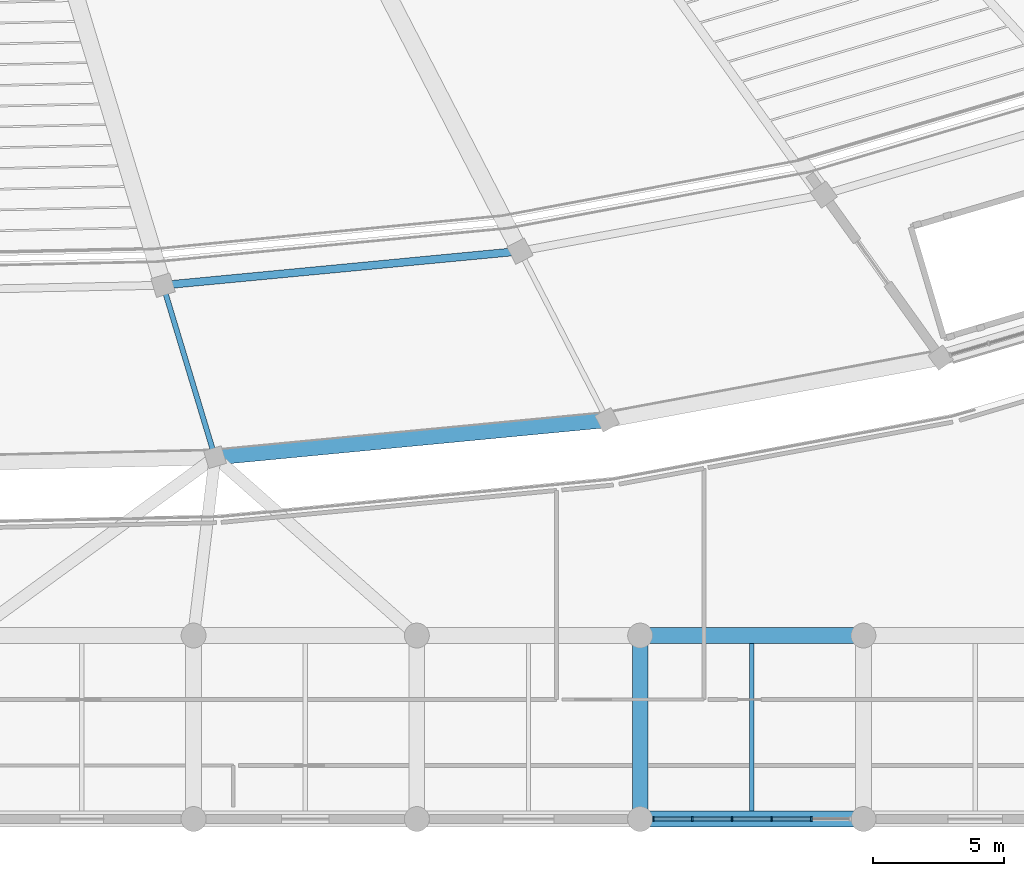
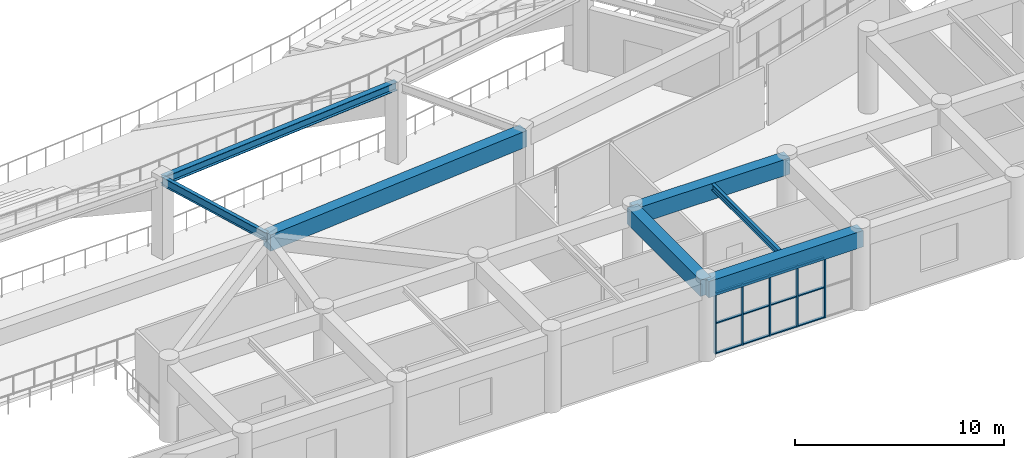
# One storey, part 32 of 137: 17 members, 7 beams, 1 element without a shape of its own.
"""IFC4 building model written with IfcOpenShell, lengths in metres."""

from ifc_helpers import new_model, si_unit, direction, frame, origin, origin_2d, place, context, subcontext, project, spatial, rectangle, i_section, extrude, material, layer, layer_set, material_profile, profile_set, type_object, element, aggregate, save


model = new_model("IFC4")

# Units and contexts
model_context = context("Model", 3, precision=1e-05, world=origin(), true_north=direction((0.0, 1.0)))
body_context = subcontext(model_context, "Body", "Model", "MODEL_VIEW")
ifc_project = project(units=[si_unit("LENGTHUNIT", "METRE"), si_unit("AREAUNIT", "SQUARE_METRE"), si_unit("VOLUMEUNIT", "CUBIC_METRE"), si_unit("PLANEANGLEUNIT", "RADIAN"), si_unit("MASSUNIT", "GRAM", prefix="KILO")], contexts=[model_context])

# Site, building, storey
site_placement = place(None, origin())
site = spatial("IfcSite", under=ifc_project, at=site_placement, CompositionType="ELEMENT")
building_placement = place(site_placement, origin())
building = spatial("IfcBuilding", under=site, at=building_placement, Name="Mphavela Belvedere Stadium", CompositionType="ELEMENT")
storey_placement = place(building_placement, frame((0.0, 0.0, 19.199951171875)))
storey = spatial("IfcBuildingStorey", under=building, at=storey_placement, Name="L04", CompositionType="ELEMENT", Elevation=19.199951171875)

# Beams
ifc_material_1 = material(Name="Concrete C40/50", Category="concrete")
ifc_material_profile_1 = material_profile(ifc_material_1, rectangle(XDim=0.60009765625, YDim=0.949951171875, at=origin_2d()), Name="RC 600x950")
ifc_profile_set_1 = profile_set([ifc_material_profile_1], Name="Concrete C40/50")
beam_type_1 = type_object("IfcBeamType", Name="BM-ENTABLATURE-950", PredefinedType="SPANDREL", material=ifc_profile_set_1)
beam_1_placement = place(storey_placement, frame((137.114501953125, 13.80615234375, 4.074951171875), z_axis=(0.995483415661, 0.094935605244, 0.0), x_axis=(-0.094935605244, 0.995483415661, 0.0)))
element("IfcBeam", 1, at=beam_1_placement, inside=storey, type_object=beam_type_1, Name="Circumferential girder L04 R4-38", PredefinedType="SPANDREL", context=body_context, shape_type="SweptSolid", body=[
    extrude(rectangle(XDim=0.60009765625, YDim=0.949951171875, at=origin_2d()), origin(), (0.0, 0.0, 1.0), 15.026123046875),
])
beam_2_placement = place(storey_placement, frame((153.3330078125, 0.0, 4.06494140625), z_axis=(1.0, 0.0, 0.0), x_axis=(0.0, 1.0, 0.0)))
element("IfcBeam", 2, at=beam_2_placement, inside=storey, type_object=beam_type_1, Name="South Axial Triumphal Peristyle Portico entablature beam X L04 19-1", PredefinedType="SPANDREL", context=body_context, shape_type="SweptSolid", body=[
    extrude(rectangle(XDim=0.60009765625, YDim=0.949951171875, at=origin_2d()), origin(), (0.0, 0.0, 1.0), 8.51904296875),
])
beam_3_placement = place(storey_placement, frame((153.3330078125, 0.0, 4.06494140625), z_axis=(0.0, 1.0, 0.0), x_axis=(-1.0, 0.0, 0.0)))
element("IfcBeam", 3, at=beam_3_placement, inside=storey, type_object=beam_type_1, Name="South Axial Triumphal Peristyle Portico entablature beam Y L04 19-1", PredefinedType="SPANDREL", context=body_context, shape_type="SweptSolid", body=[
    extrude(rectangle(XDim=0.60009765625, YDim=0.949951171875, at=origin_2d()), origin(), (0.0, 0.0, 1.0), 7.0),
])
beam_4_placement = place(storey_placement, frame((153.3330078125, 7.0, 4.06494140625), z_axis=(1.0, 0.0, 0.0), x_axis=(0.0, 1.0, 0.0)))
element("IfcBeam", 4, at=beam_4_placement, inside=storey, type_object=beam_type_1, Name="South Axial Triumphal Peristyle Portico entablature beam X L04 19-2", PredefinedType="SPANDREL", context=body_context, shape_type="SweptSolid", body=[
    extrude(rectangle(XDim=0.60009765625, YDim=0.949951171875, at=origin_2d()), origin(), (0.0, 0.0, 1.0), 8.51904296875),
])
ifc_material_2 = material(Name="Steel S355", Category="steel")
ifc_material_profile_2 = material_profile(ifc_material_2, i_section(OverallWidth=0.169921875, OverallDepth=0.360107421875, WebThickness=0.008056640625, FlangeThickness=0.0126953125, at=origin_2d()), Name="IPE 360")
ifc_profile_set_2 = profile_set([ifc_material_profile_2], Name="Steel S355")
beam_type_2 = type_object("IfcBeamType", Name="BM-JOIST-IPE360", PredefinedType="JOIST", material=ifc_profile_set_2)
beam_5_placement = place(storey_placement, frame((157.592529296875, 0.300048828125, 4.360107421875), z_axis=(0.0, 1.0, 0.0), x_axis=(-1.0, 0.0, 0.0)))
element("IfcBeam", 5, at=beam_5_placement, inside=storey, type_object=beam_type_2, Name="South Axial Triumphal Peristyle Portico secondary joist L04 19-1", PredefinedType="JOIST", context=body_context, shape_type="SweptSolid", body=[
    extrude(i_section(OverallWidth=0.169921875, OverallDepth=0.360107421875, WebThickness=0.008056640625, FlangeThickness=0.0126953125, at=origin_2d()), origin(), (0.0, 0.0, 1.0), 6.39990234375),
])
ifc_material_3 = material(Name="Steel S355", Category="steel")
ifc_material_profile_3 = material_profile(ifc_material_3, i_section(OverallWidth=0.300048828125, OverallDepth=0.489990234375, WebThickness=0.011962890625, FlangeThickness=0.02294921875, at=origin_2d()), Name="HEA 500")
ifc_profile_set_3 = profile_set([ifc_material_profile_3], Name="Steel S355")
beam_type_3 = type_object("IfcBeamType", Name="BM-STEEL-HEA500", PredefinedType="BEAM", material=ifc_profile_set_3)
beam_6_placement = place(storey_placement, frame((135.1328125, 20.365966796875, 4.304931640625), z_axis=(0.995483834103, 0.094931217412, 0.0), x_axis=(-0.094931217412, 0.995483834103, 0.0)))
element("IfcBeam", 6, at=beam_6_placement, inside=storey, type_object=beam_type_3, Name="Circumferential girder L04 R3-38", PredefinedType="BEAM", context=body_context, shape_type="SweptSolid", body=[
    extrude(i_section(OverallWidth=0.300048828125, OverallDepth=0.489990234375, WebThickness=0.011962890625, FlangeThickness=0.02294921875, at=origin_2d()), origin(), (0.0, 0.0, 1.0), 13.67919921875),
])
ifc_material_4 = material(Name="Steel S355", Category="steel")
ifc_material_profile_4 = material_profile(ifc_material_4, i_section(OverallWidth=0.199951171875, OverallDepth=0.5, WebThickness=0.01025390625, FlangeThickness=0.01611328125, at=origin_2d()), Name="IPE 500")
ifc_profile_set_4 = profile_set([ifc_material_profile_4], Name="Steel S355")
beam_type_4 = type_object("IfcBeamType", Name="BM-STEEL-IPE500", PredefinedType="BEAM", material=ifc_profile_set_4)
beam_7_placement = place(storey_placement, frame((135.1328125, 20.365966796875, 4.300048828125), z_axis=(0.28918755919, -0.95727245631, 0.0), x_axis=(0.95727245631, 0.28918755919, 0.0)))
element("IfcBeam", 7, at=beam_7_placement, inside=storey, type_object=beam_type_4, Name="Radial concourse girder L04 R3R4-38", PredefinedType="BEAM", context=body_context, shape_type="SweptSolid", body=[
    extrude(i_section(OverallWidth=0.199951171875, OverallDepth=0.5, WebThickness=0.01025390625, FlangeThickness=0.01611328125, at=origin_2d()), origin(), (0.0, 0.0, 1.0), 6.8525390625),
])

# Curtain wall, members
ifc_material_5 = material(Name="Anodised bronze unitised curtain wall framing")
ifc_layer = layer(ifc_material_5, 0.199951171875)
ifc_layer_set = layer_set([ifc_layer], Name="Anodised bronze unitised curtain wall framing")
curtain_wall_type = type_object("IfcCurtainWallType", Name="CW-UNIT-05", PredefinedType="USERDEFINED", material=ifc_layer_set)
curtain_wall_placement = place(storey_placement, origin())
curtain_wall = element("IfcCurtainWall", 8, at=curtain_wall_placement, inside=storey, type_object=curtain_wall_type, Name="South Axial Triumphal Peristyle Portico gallery curtain wall L04-19", ObjectType="UNITISED CURTAIN WALL", PredefinedType="USERDEFINED")
ifc_material_6 = material(Name="Anodised bronze extruded aluminium", Category="aluminium")
ifc_material_profile_5 = material_profile(ifc_material_6, rectangle(XDim=0.179931640625, YDim=0.06494140625, at=origin_2d()), Name="CW-MUL 180x65")
ifc_profile_set_5 = profile_set([ifc_material_profile_5], Name="Anodised bronze extruded aluminium")
member_type_1 = type_object("IfcMemberType", Name="CWM-180x65", PredefinedType="MULLION", material=ifc_profile_set_5)
member_1_placement = place(storey_placement, frame((159.864501953125, 0.0, 0.0), z_axis=(0.0, 0.0, 1.0), x_axis=(0.0, -1.0, 0.0)))
member_1 = element("IfcMember", 9, at=member_1_placement, type_object=member_type_1, Name="CW-05 mullion 2", PredefinedType="MULLION", context=body_context, shape_type="SweptSolid", body=[
    extrude(rectangle(XDim=0.179931640625, YDim=0.06494140625, at=origin_2d()), origin(), (0.0, 0.0, 1.0), 3.56005859375),
])
member_2_placement = place(storey_placement, frame((158.349853515625, 0.0, 0.0), z_axis=(0.0, 0.0, 1.0), x_axis=(0.0, -1.0, 0.0)))
member_2 = element("IfcMember", 10, at=member_2_placement, type_object=member_type_1, Name="CW-05 mullion 3", PredefinedType="MULLION", context=body_context, shape_type="SweptSolid", body=[
    extrude(rectangle(XDim=0.179931640625, YDim=0.06494140625, at=origin_2d()), origin(), (0.0, 0.0, 1.0), 3.56005859375),
])
member_3_placement = place(storey_placement, frame((156.835205078125, 0.0, 0.0), z_axis=(0.0, 0.0, 1.0), x_axis=(0.0, -1.0, 0.0)))
member_3 = element("IfcMember", 11, at=member_3_placement, type_object=member_type_1, Name="CW-05 mullion 4", PredefinedType="MULLION", context=body_context, shape_type="SweptSolid", body=[
    extrude(rectangle(XDim=0.179931640625, YDim=0.06494140625, at=origin_2d()), origin(), (0.0, 0.0, 1.0), 3.56005859375),
])
member_4_placement = place(storey_placement, frame((155.320556640625, 0.0, 0.0), z_axis=(0.0, 0.0, 1.0), x_axis=(0.0, -1.0, 0.0)))
member_4 = element("IfcMember", 12, at=member_4_placement, type_object=member_type_1, Name="CW-05 mullion 5", PredefinedType="MULLION", context=body_context, shape_type="SweptSolid", body=[
    extrude(rectangle(XDim=0.179931640625, YDim=0.06494140625, at=origin_2d()), origin(), (0.0, 0.0, 1.0), 3.56005859375),
])
member_5_placement = place(storey_placement, frame((153.83837890625, 0.0, 0.0), z_axis=(0.0, 0.0, 1.0), x_axis=(0.0, -1.0, 0.0)))
member_5 = element("IfcMember", 13, at=member_5_placement, type_object=member_type_1, Name="CW-05 mullion 6", PredefinedType="MULLION", context=body_context, shape_type="SweptSolid", body=[
    extrude(rectangle(XDim=0.179931640625, YDim=0.06494140625, at=origin_2d()), origin(), (0.0, 0.0, 1.0), 3.56005859375),
])
ifc_material_7 = material(Name="Anodised bronze extruded aluminium", Category="aluminium")
ifc_material_profile_6 = material_profile(ifc_material_7, rectangle(XDim=0.139892578125, YDim=0.06005859375, at=origin_2d()), Name="CW-TRN 140x60")
ifc_profile_set_6 = profile_set([ifc_material_profile_6], Name="Anodised bronze extruded aluminium")
member_type_2 = type_object("IfcMemberType", Name="CWT-140x60", PredefinedType="USERDEFINED", material=ifc_profile_set_6)
member_6_placement = place(storey_placement, frame((159.831787109375, 0.0, 0.030029296875), z_axis=(-1.0, 0.0, 0.0), x_axis=(0.0, -1.0, 0.0)))
member_6 = element("IfcMember", 14, at=member_6_placement, type_object=member_type_2, Name="CW-05 transom 2.1", ObjectType="TRANSOM", PredefinedType="USERDEFINED", context=body_context, shape_type="SweptSolid", body=[
    extrude(rectangle(XDim=0.139892578125, YDim=0.06005859375, at=origin_2d()), origin(), (0.0, 0.0, 1.0), 1.449462890625),
])
member_7_placement = place(storey_placement, frame((159.831787109375, 0.0, 1.780029296875), z_axis=(-1.0, 0.0, 0.0), x_axis=(0.0, -1.0, 0.0)))
member_7 = element("IfcMember", 15, at=member_7_placement, type_object=member_type_2, Name="CW-05 transom 2.2", ObjectType="TRANSOM", PredefinedType="USERDEFINED", context=body_context, shape_type="SweptSolid", body=[
    extrude(rectangle(XDim=0.139892578125, YDim=0.06005859375, at=origin_2d()), origin(), (0.0, 0.0, 1.0), 1.449462890625),
])
member_8_placement = place(storey_placement, frame((159.831787109375, 0.0, 3.530029296875), z_axis=(-1.0, 0.0, 0.0), x_axis=(0.0, -1.0, 0.0)))
member_8 = element("IfcMember", 16, at=member_8_placement, type_object=member_type_2, Name="CW-05 transom 2.3", ObjectType="TRANSOM", PredefinedType="USERDEFINED", context=body_context, shape_type="SweptSolid", body=[
    extrude(rectangle(XDim=0.139892578125, YDim=0.06005859375, at=origin_2d()), origin(), (0.0, 0.0, 1.0), 1.449462890625),
])
member_9_placement = place(storey_placement, frame((158.3173828125, 0.0, 0.030029296875), z_axis=(-1.0, 0.0, 0.0), x_axis=(0.0, -1.0, 0.0)))
member_9 = element("IfcMember", 17, at=member_9_placement, type_object=member_type_2, Name="CW-05 transom 3.1", ObjectType="TRANSOM", PredefinedType="USERDEFINED", context=body_context, shape_type="SweptSolid", body=[
    extrude(rectangle(XDim=0.139892578125, YDim=0.06005859375, at=origin_2d()), origin(), (0.0, 0.0, 1.0), 1.44970703125),
])
member_10_placement = place(storey_placement, frame((158.3173828125, 0.0, 1.780029296875), z_axis=(-1.0, 0.0, 0.0), x_axis=(0.0, -1.0, 0.0)))
member_10 = element("IfcMember", 18, at=member_10_placement, type_object=member_type_2, Name="CW-05 transom 3.2", ObjectType="TRANSOM", PredefinedType="USERDEFINED", context=body_context, shape_type="SweptSolid", body=[
    extrude(rectangle(XDim=0.139892578125, YDim=0.06005859375, at=origin_2d()), origin(), (0.0, 0.0, 1.0), 1.44970703125),
])
member_11_placement = place(storey_placement, frame((158.3173828125, 0.0, 3.530029296875), z_axis=(-1.0, 0.0, 0.0), x_axis=(0.0, -1.0, 0.0)))
member_11 = element("IfcMember", 19, at=member_11_placement, type_object=member_type_2, Name="CW-05 transom 3.3", ObjectType="TRANSOM", PredefinedType="USERDEFINED", context=body_context, shape_type="SweptSolid", body=[
    extrude(rectangle(XDim=0.139892578125, YDim=0.06005859375, at=origin_2d()), origin(), (0.0, 0.0, 1.0), 1.44970703125),
])
member_12_placement = place(storey_placement, frame((156.802734375, 0.0, 0.030029296875), z_axis=(-1.0, 0.0, 0.0), x_axis=(0.0, -1.0, 0.0)))
member_12 = element("IfcMember", 20, at=member_12_placement, type_object=member_type_2, Name="CW-05 transom 4.1", ObjectType="TRANSOM", PredefinedType="USERDEFINED", context=body_context, shape_type="SweptSolid", body=[
    extrude(rectangle(XDim=0.139892578125, YDim=0.06005859375, at=origin_2d()), origin(), (0.0, 0.0, 1.0), 1.44970703125),
])
member_13_placement = place(storey_placement, frame((156.802734375, 0.0, 1.780029296875), z_axis=(-1.0, 0.0, 0.0), x_axis=(0.0, -1.0, 0.0)))
member_13 = element("IfcMember", 21, at=member_13_placement, type_object=member_type_2, Name="CW-05 transom 4.2", ObjectType="TRANSOM", PredefinedType="USERDEFINED", context=body_context, shape_type="SweptSolid", body=[
    extrude(rectangle(XDim=0.139892578125, YDim=0.06005859375, at=origin_2d()), origin(), (0.0, 0.0, 1.0), 1.44970703125),
])
member_14_placement = place(storey_placement, frame((156.802734375, 0.0, 3.530029296875), z_axis=(-1.0, 0.0, 0.0), x_axis=(0.0, -1.0, 0.0)))
member_14 = element("IfcMember", 22, at=member_14_placement, type_object=member_type_2, Name="CW-05 transom 4.3", ObjectType="TRANSOM", PredefinedType="USERDEFINED", context=body_context, shape_type="SweptSolid", body=[
    extrude(rectangle(XDim=0.139892578125, YDim=0.06005859375, at=origin_2d()), origin(), (0.0, 0.0, 1.0), 1.44970703125),
])
member_15_placement = place(storey_placement, frame((155.2880859375, 0.0, 0.030029296875), z_axis=(-1.0, 0.0, 0.0), x_axis=(0.0, -1.0, 0.0)))
member_15 = element("IfcMember", 23, at=member_15_placement, type_object=member_type_2, Name="CW-05 transom 5.1", ObjectType="TRANSOM", PredefinedType="USERDEFINED", context=body_context, shape_type="SweptSolid", body=[
    extrude(rectangle(XDim=0.139892578125, YDim=0.06005859375, at=origin_2d()), origin(), (0.0, 0.0, 1.0), 1.4169921875),
])
member_16_placement = place(storey_placement, frame((155.2880859375, 0.0, 1.780029296875), z_axis=(-1.0, 0.0, 0.0), x_axis=(0.0, -1.0, 0.0)))
member_16 = element("IfcMember", 24, at=member_16_placement, type_object=member_type_2, Name="CW-05 transom 5.2", ObjectType="TRANSOM", PredefinedType="USERDEFINED", context=body_context, shape_type="SweptSolid", body=[
    extrude(rectangle(XDim=0.139892578125, YDim=0.06005859375, at=origin_2d()), origin(), (0.0, 0.0, 1.0), 1.4169921875),
])
member_17_placement = place(storey_placement, frame((155.2880859375, 0.0, 3.530029296875), z_axis=(-1.0, 0.0, 0.0), x_axis=(0.0, -1.0, 0.0)))
member_17 = element("IfcMember", 25, at=member_17_placement, type_object=member_type_2, Name="CW-05 transom 5.3", ObjectType="TRANSOM", PredefinedType="USERDEFINED", context=body_context, shape_type="SweptSolid", body=[
    extrude(rectangle(XDim=0.139892578125, YDim=0.06005859375, at=origin_2d()), origin(), (0.0, 0.0, 1.0), 1.4169921875),
])
aggregate(curtain_wall, [member_1, member_2, member_3, member_4, member_5, member_6, member_7, member_8, member_9, member_10, member_11, member_12, member_13, member_14, member_15, member_16, member_17])

save(model, "model.ifc")
